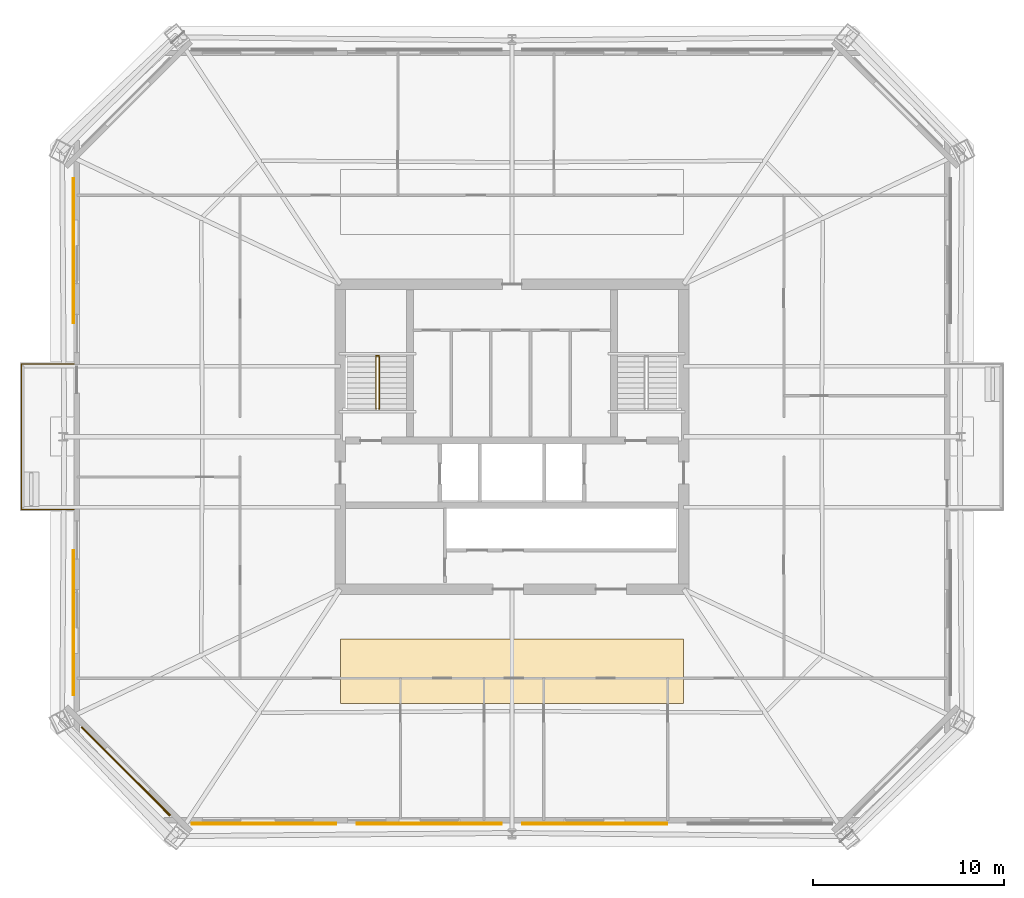
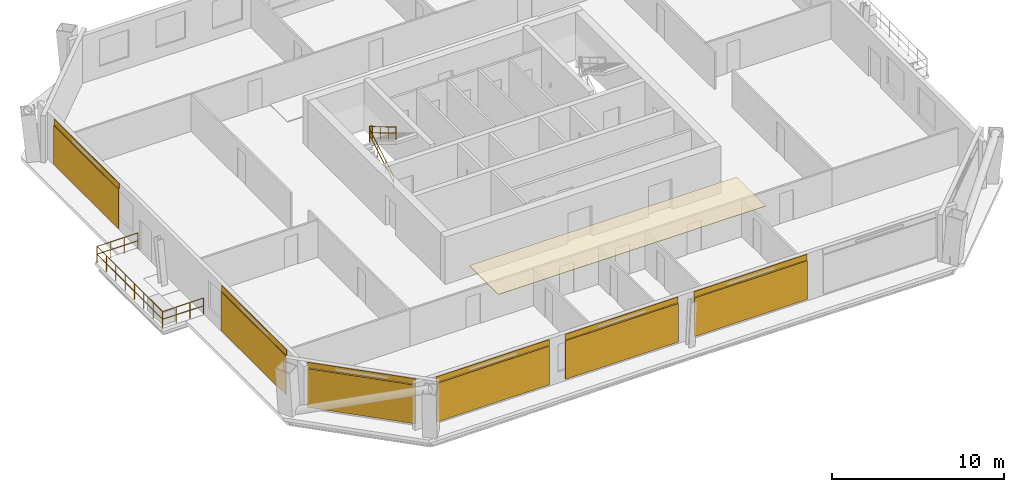
# One storey, part 6 of 8: 7 coverings, 6 shading devices, 4 railings.
"""IFC4 building model written with IfcOpenShell, lengths in metres."""

from ifc_helpers import new_model, si_unit, direction, frame, origin, origin_2d, place, context, subcontext, project, spatial, polyline, rectangle, circle, outline, extrude, material, layer, layer_set, type_object, element, save


model = new_model("IFC4")

# Units and contexts
model_context = context("Model", 3, precision=1e-05, world=origin(), true_north=direction((0.0, 1.0)))
body_context = subcontext(model_context, "Body", "Model", "MODEL_VIEW")
ifc_project = project(units=[si_unit("LENGTHUNIT", "METRE"), si_unit("AREAUNIT", "SQUARE_METRE"), si_unit("VOLUMEUNIT", "CUBIC_METRE"), si_unit("PLANEANGLEUNIT", "RADIAN"), si_unit("MASSUNIT", "GRAM", prefix="KILO")], contexts=[model_context])

# Site, building, storey
site_placement = place(None, origin())
site = spatial("IfcSite", under=ifc_project, at=site_placement, CompositionType="ELEMENT")
building_placement = place(site_placement, origin())
building = spatial("IfcBuilding", under=site, at=building_placement, Name="Caelvoria Tower", CompositionType="ELEMENT")
storey_placement = place(building_placement, frame((0.0, 0.0, 145.60009765625)))
storey = spatial("IfcBuildingStorey", under=building, at=storey_placement, Name="L38", CompositionType="ELEMENT", Elevation=145.60009765625)

# Railing
ifc_material_1 = material(Name="Bronze Anodised Aluminium and Stainless Steel", Category="steel")
railing_type_1 = type_object("IfcRailingType", Name="Exterior Terrace and Balcony Guardrail 1150", PredefinedType="GUARDRAIL", material=ifc_material_1)
railing_1_placement = place(storey_placement, frame((23.0400390625, 28.179931640625, 0.0)))
element("IfcRailing", 1, at=railing_1_placement, inside=storey, type_object=railing_type_1, Name="Tree Balcony Guardrail TB-L38-W", PredefinedType="GUARDRAIL", context=body_context, shape_type="SweptSolid", body=[
    extrude(circle(Radius=0.02392578125, at=origin_2d()), frame((0.0, 0.0, 1.1259765625), z_axis=(-1.0, 0.0, 0.0), x_axis=(0.0, -1.0, 0.0)), (0.0, 0.0, 1.0), 2.760009765625),
    extrude(circle(Radius=0.02392578125, at=origin_2d()), frame((0.0, 0.0, 0.574951171875), z_axis=(-1.0, 0.0, 0.0), x_axis=(0.0, -1.0, 0.0)), (0.0, 0.0, 1.0), 2.760009765625),
    extrude(circle(Radius=0.02392578125, at=origin_2d()), frame((-2.760009765625, 0.0, 1.1259765625), z_axis=(0.0, 1.0, 0.0), x_axis=(-1.0, 0.0, 0.0)), (0.0, 0.0, 1.0), 7.64013671875),
    extrude(circle(Radius=0.02392578125, at=origin_2d()), frame((-2.760009765625, 0.0, 0.574951171875), z_axis=(0.0, 1.0, 0.0), x_axis=(-1.0, 0.0, 0.0)), (0.0, 0.0, 1.0), 7.64013671875),
    extrude(circle(Radius=0.02392578125, at=origin_2d()), frame((-2.760009765625, 7.64013671875, 1.1259765625), z_axis=(1.0, 0.0, 0.0), x_axis=(0.0, 1.0, 0.0)), (0.0, 0.0, 1.0), 2.760009765625),
    extrude(circle(Radius=0.02392578125, at=origin_2d()), frame((-2.760009765625, 7.64013671875, 0.574951171875), z_axis=(1.0, 0.0, 0.0), x_axis=(0.0, 1.0, 0.0)), (0.0, 0.0, 1.0), 2.760009765625),
    extrude(circle(Radius=0.02099609375, at=origin_2d()), origin(), (0.0, 0.0, 1.0), 1.101806640625),
    extrude(circle(Radius=0.02099609375, at=origin_2d()), frame((-0.919921875, 0.0, 0.0)), (0.0, 0.0, 1.0), 1.101806640625),
    extrude(circle(Radius=0.02099609375, at=origin_2d()), frame((-1.840087890625, 0.0, 0.0)), (0.0, 0.0, 1.0), 1.101806640625),
    extrude(circle(Radius=0.02099609375, at=origin_2d()), frame((-2.760009765625, 0.0, 0.0)), (0.0, 0.0, 1.0), 1.101806640625),
    extrude(circle(Radius=0.02099609375, at=origin_2d()), frame((-2.760009765625, 1.091552734375, 0.0)), (0.0, 0.0, 1.0), 1.101806640625),
    extrude(circle(Radius=0.02099609375, at=origin_2d()), frame((-2.760009765625, 2.182861328125, 0.0)), (0.0, 0.0, 1.0), 1.101806640625),
    extrude(circle(Radius=0.02099609375, at=origin_2d()), frame((-2.760009765625, 3.2744140625, 0.0)), (0.0, 0.0, 1.0), 1.101806640625),
    extrude(circle(Radius=0.02099609375, at=origin_2d()), frame((-2.760009765625, 4.36572265625, 0.0)), (0.0, 0.0, 1.0), 1.101806640625),
    extrude(circle(Radius=0.02099609375, at=origin_2d()), frame((-2.760009765625, 5.457275390625, 0.0)), (0.0, 0.0, 1.0), 1.101806640625),
    extrude(circle(Radius=0.02099609375, at=origin_2d()), frame((-2.760009765625, 6.548583984375, 0.0)), (0.0, 0.0, 1.0), 1.101806640625),
    extrude(circle(Radius=0.02099609375, at=origin_2d()), frame((-2.760009765625, 7.64013671875, 0.0)), (0.0, 0.0, 1.0), 1.101806640625),
    extrude(circle(Radius=0.02099609375, at=origin_2d()), frame((-1.840087890625, 7.64013671875, 0.0)), (0.0, 0.0, 1.0), 1.101806640625),
    extrude(circle(Radius=0.02099609375, at=origin_2d()), frame((-0.919921875, 7.64013671875, 0.0)), (0.0, 0.0, 1.0), 1.101806640625),
    extrude(circle(Radius=0.02099609375, at=origin_2d()), frame((0.0, 7.64013671875, 0.0)), (0.0, 0.0, 1.0), 1.101806640625),
])

# Coverings
ifc_material_2 = material(Name="Acoustic Mineral Fibre Tile", Category="gypsum")
ifc_layer_1 = layer(ifc_material_2, 0.02490234375, Name="Acoustic Mineral Fibre Tile")
ifc_layer_set_1 = layer_set([ifc_layer_1], Name="Mineral-Fibre Acoustic Suspended Ceiling 25 - Acoustic Mineral Fibre Tile")
covering_type_1 = type_object("IfcCoveringType", Name="Mineral-Fibre Acoustic Suspended Ceiling 25", PredefinedType="CEILING", material=ifc_layer_set_1)
covering_1_placement = place(storey_placement, frame((0.0, 0.0, 2.635009765625)))
element("IfcCovering", 2, at=covering_1_placement, inside=storey, type_object=covering_type_1, Name="Suspended Acoustic Ceiling L38", PredefinedType="CEILING", context=body_context, shape_type="SweptSolid", body=[
    extrude(outline(polyline([(37.0, 18.0), (55.0, 18.0), (55.0, 21.39990234375), (37.0, 21.39990234375), (37.0, 18.0)])), origin(), (0.0, 0.0, 1.0), 0.02490234375),
])
ifc_material_3 = material(Name="Perforated Architectural Bronze Cladding Screen", Category="bronze")
ifc_layer_2 = layer(ifc_material_3, 0.0400390625, Name="Perforated Architectural Bronze Cladding Screen")
ifc_layer_set_2 = layer_set([ifc_layer_2], Name="Perforated Bronze Louvre Cladding Band 40 - Perforated Architectural Bronze Cladding Screen")
covering_type_2 = type_object("IfcCoveringType", Name="Perforated Bronze Louvre Cladding Band 40", PredefinedType="CLADDING", material=ifc_layer_set_2)
for number, where, z_axis, x_axis, name in (
    (3, (32.9951171875, 11.72802734375, 2.93994140625), (0.0, 0.0, 1.0), (1.0, 0.0, 0.0), "Perforated Bronze Screen Band L38-E0-00"),
    (4, (41.6650390625, 11.72802734375, 2.93994140625), (0.0, 0.0, 1.0), (1.0, 0.0, 0.0), "Perforated Bronze Screen Band L38-E0-01"),
    (5, (50.3349609375, 11.72802734375, 2.93994140625), (0.0, 0.0, 1.0), (1.0, 0.0, 0.0), "Perforated Bronze Screen Band L38-E0-02"),
    (6, (23.028076171875, 41.760009765625, 2.93994140625), (0.0, 0.0, 1.0), (0.0, -1.0, 0.0), "Perforated Bronze Screen Band L38-E6-00"),
    (7, (23.028076171875, 22.239990234375, 2.93994140625), (0.0, 0.0, 1.0), (0.0, -1.0, 0.0), "Perforated Bronze Screen Band L38-E6-02"),
):
    element("IfcCovering", number, at=place(storey_placement, frame(where, z_axis=z_axis, x_axis=x_axis)), inside=storey, type_object=covering_type_2, Name=name, PredefinedType="CLADDING", context=body_context, shape_type="SweptSolid", body=[
        extrude(rectangle(XDim=7.60009765625, YDim=0.0400390625, at=origin_2d()), origin(), (0.0, 0.0, 1.0), 0.39990234375),
    ])
covering_2_placement = place(storey_placement, frame((25.768310546875, 14.46826171875, 2.93994140625), z_axis=(0.0, 0.0, 1.0), x_axis=(0.707106781187, -0.707106781187, 0.0)))
element("IfcCovering", 8, at=covering_2_placement, inside=storey, type_object=covering_type_2, Name="Perforated Bronze Screen Band L38-E7-00", PredefinedType="CLADDING", context=body_context, shape_type="SweptSolid", body=[
    extrude(rectangle(XDim=6.55419921875, YDim=0.0400390625, at=origin_2d()), origin(), (0.0, 0.0, 1.0), 0.39990234375),
])

# Shading devices
ifc_material_4 = material(Name="Perforated Architectural Bronze Alloy Panel", Category="bronze")
ifc_layer_3 = layer(ifc_material_4, 0.044921875, Name="Perforated Architectural Bronze Alloy Panel")
ifc_layer_set_3 = layer_set([ifc_layer_3], Name="Perforated Bronze Solar Screen Panel SCREEN - Perforated Architectural Bronze Alloy Panel")
shading_device_type = type_object("IfcShadingDeviceType", Name="Perforated Bronze Solar Screen Panel SCREEN", PredefinedType="USERDEFINED", material=ifc_layer_set_3)
for number, where, z_axis, x_axis, name in (
    (9, (32.9951171875, 11.68505859375, 0.159912109375), (0.0, 0.0, 1.0), (1.0, 0.0, 0.0), "Perforated Bronze Solar Screen L38-E0-00"),
    (10, (41.6650390625, 11.68505859375, 0.159912109375), (0.0, 0.0, 1.0), (1.0, 0.0, 0.0), "Perforated Bronze Solar Screen L38-E0-01"),
    (11, (50.3349609375, 11.68505859375, 0.159912109375), (0.0, 0.0, 1.0), (1.0, 0.0, 0.0), "Perforated Bronze Solar Screen L38-E0-02"),
    (12, (22.985107421875, 41.760009765625, 0.159912109375), (0.0, 0.0, 1.0), (0.0, -1.0, 0.0), "Perforated Bronze Solar Screen L38-E6-00"),
    (13, (22.985107421875, 22.239990234375, 0.159912109375), (0.0, 0.0, 1.0), (0.0, -1.0, 0.0), "Perforated Bronze Solar Screen L38-E6-02"),
):
    element("IfcShadingDevice", number, at=place(storey_placement, frame(where, z_axis=z_axis, x_axis=x_axis)), inside=storey, type_object=shading_device_type, Name=name, ObjectType="SCREEN", PredefinedType="USERDEFINED", context=body_context, shape_type="SweptSolid", body=[
        extrude(rectangle(XDim=7.60009765625, YDim=0.044921875, at=origin_2d()), origin(), (0.0, 0.0, 1.0), 2.75),
    ])
shading_device_placement = place(storey_placement, frame((25.73779296875, 14.43798828125, 0.159912109375), z_axis=(0.0, 0.0, 1.0), x_axis=(0.707106781187, -0.707106781187, 0.0)))
element("IfcShadingDevice", 14, at=shading_device_placement, inside=storey, type_object=shading_device_type, Name="Perforated Bronze Solar Screen L38-E7-00", ObjectType="SCREEN", PredefinedType="USERDEFINED", context=body_context, shape_type="SweptSolid", body=[
    extrude(rectangle(XDim=6.55419921875, YDim=0.044921875, at=origin_2d()), origin(), (0.0, 0.0, 1.0), 2.75),
])

# Railings
ifc_material_5 = material(Name="Brushed Stainless Steel Tube", Category="steel")
railing_type_2 = type_object("IfcRailingType", Name="Stair Tubular Stainless Handrail 920", PredefinedType="HANDRAIL", material=ifc_material_5)
railing_2_placement = place(storey_placement, frame((38.8701171875, 33.449951171875, 0.16357421875)))
element("IfcRailing", 15, at=railing_2_placement, inside=storey, type_object=railing_type_2, Name="ST-01 Flight 1 Handrail L38", PredefinedType="HANDRAIL", context=body_context, shape_type="SweptSolid", body=[
    extrude(circle(Radius=0.02392578125, at=origin_2d()), frame((0.0, 0.0, 0.89599609375), z_axis=(0.0, 0.859385484447, 0.511328259656), x_axis=(-1.0, 0.0, 0.0)), (0.0, 0.0, 1.0), 3.199951171875),
    extrude(circle(Radius=0.02392578125, at=origin_2d()), frame((0.0, 0.0, 0.4599609375), z_axis=(0.0, 0.859385484447, 0.511328259656), x_axis=(-1.0, 0.0, 0.0)), (0.0, 0.0, 1.0), 3.199951171875),
    extrude(circle(Radius=0.02099609375, at=origin_2d()), origin(), (0.0, 0.0, 1.0), 0.871826171875),
    extrude(circle(Radius=0.02099609375, at=origin_2d()), frame((0.0, 0.916748046875, 0.54541015625)), (0.0, 0.0, 1.0), 0.871826171875),
    extrude(circle(Radius=0.02099609375, at=origin_2d()), frame((0.0, 1.833251953125, 1.0908203125)), (0.0, 0.0, 1.0), 0.871826171875),
    extrude(circle(Radius=0.02099609375, at=origin_2d()), frame((0.0, 2.75, 1.63623046875)), (0.0, 0.0, 1.0), 0.871826171875),
])
railing_3_placement = place(storey_placement, frame((39.030029296875, 36.199951171875, 1.963623046875)))
element("IfcRailing", 16, at=railing_3_placement, inside=storey, type_object=railing_type_2, Name="ST-01 Flight 2 Handrail L38", PredefinedType="HANDRAIL", context=body_context, shape_type="SweptSolid", body=[
    extrude(circle(Radius=0.02392578125, at=origin_2d()), frame((0.0, 0.0, 0.89599609375), z_axis=(0.0, -0.859385484447, 0.511328259656), x_axis=(1.0, 0.0, 0.0)), (0.0, 0.0, 1.0), 3.199951171875),
    extrude(circle(Radius=0.02392578125, at=origin_2d()), frame((0.0, 0.0, 0.4599609375), z_axis=(0.0, -0.859385484447, 0.511328259656), x_axis=(1.0, 0.0, 0.0)), (0.0, 0.0, 1.0), 3.199951171875),
    extrude(circle(Radius=0.02099609375, at=origin_2d()), origin(), (0.0, 0.0, 1.0), 0.871826171875),
    extrude(circle(Radius=0.02099609375, at=origin_2d()), frame((0.0, -0.916748046875, 0.54541015625)), (0.0, 0.0, 1.0), 0.871826171875),
    extrude(circle(Radius=0.02099609375, at=origin_2d()), frame((0.0, -1.833251953125, 1.0908203125)), (0.0, 0.0, 1.0), 0.871826171875),
    extrude(circle(Radius=0.02099609375, at=origin_2d()), frame((0.0, -2.75, 1.63623046875)), (0.0, 0.0, 1.0), 0.871826171875),
])
ifc_material_6 = material(Name="Brushed Stainless Steel Guardrail", Category="steel")
railing_type_3 = type_object("IfcRailingType", Name="Stair Well and Ramp Guardrail 1120", PredefinedType="GUARDRAIL", material=ifc_material_6)
railing_4_placement = place(storey_placement, frame((38.8701171875, 36.239990234375, 1.7998046875)))
element("IfcRailing", 17, at=railing_4_placement, inside=storey, type_object=railing_type_3, Name="ST-01 Half-Landing Well Guard L38", PredefinedType="GUARDRAIL", context=body_context, shape_type="SweptSolid", body=[
    extrude(circle(Radius=0.02392578125, at=origin_2d()), frame((0.0, 0.0, 1.09619140625), z_axis=(1.0, 0.0, 0.0), x_axis=(0.0, 1.0, 0.0)), (0.0, 0.0, 1.0), 0.159912109375),
    extrude(circle(Radius=0.02392578125, at=origin_2d()), frame((0.0, 0.0, 0.56005859375), z_axis=(1.0, 0.0, 0.0), x_axis=(0.0, 1.0, 0.0)), (0.0, 0.0, 1.0), 0.159912109375),
    extrude(circle(Radius=0.02099609375, at=origin_2d()), origin(), (0.0, 0.0, 1.0), 1.072021484375),
    extrude(circle(Radius=0.02099609375, at=origin_2d()), frame((0.159912109375, 0.0, 0.0)), (0.0, 0.0, 1.0), 1.072021484375),
])

save(model, "model.ifc")
